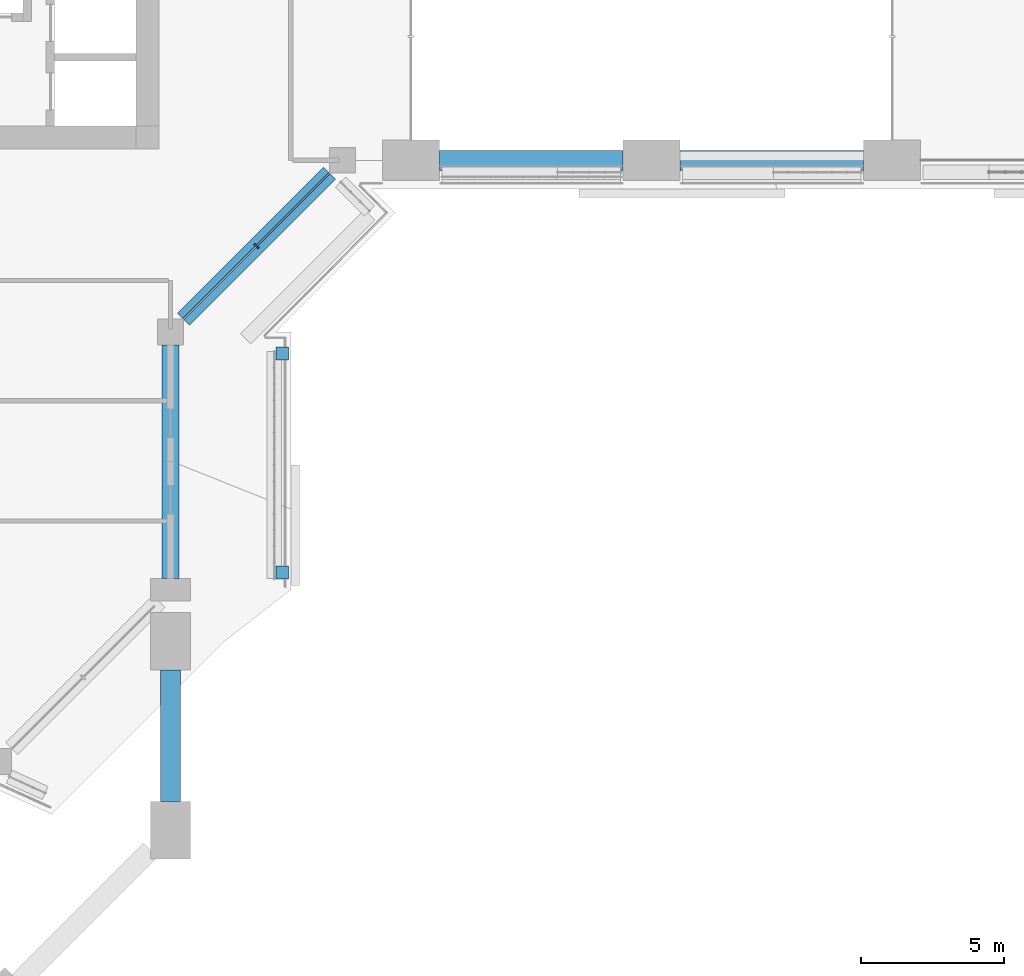
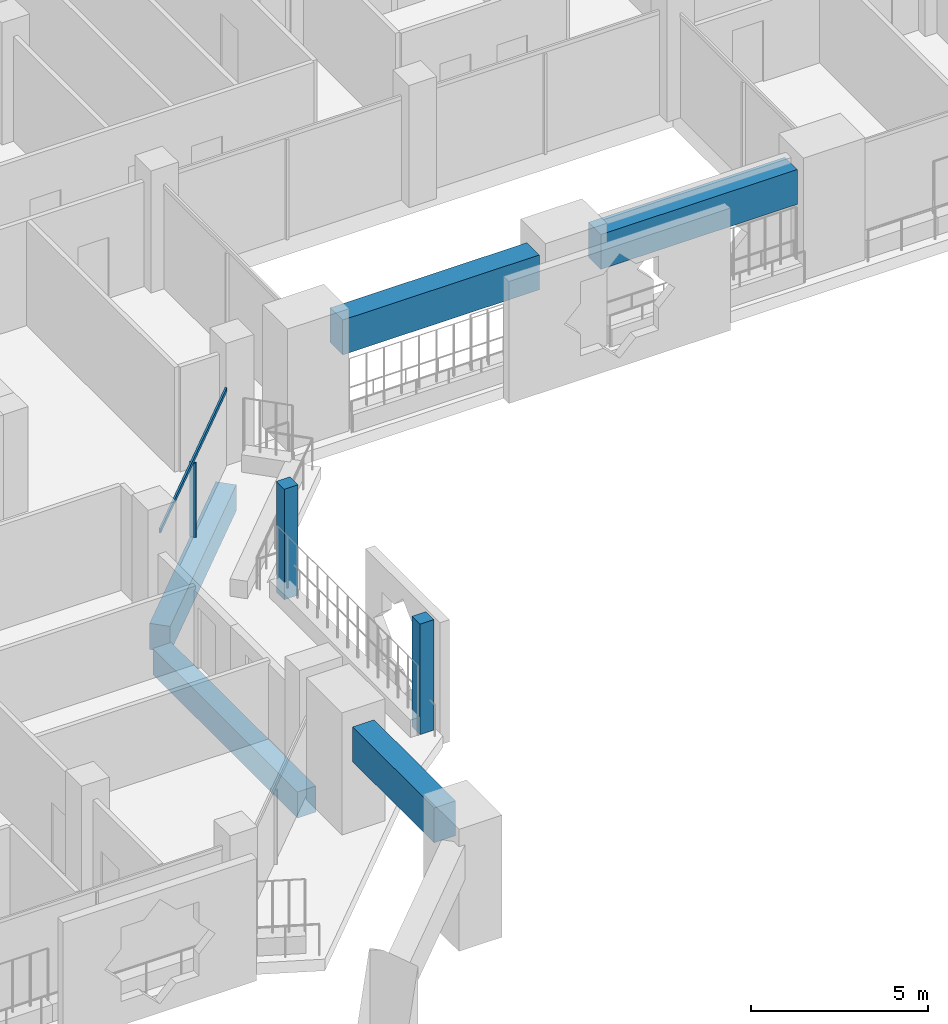
# One storey, part 4 of 23: 5 beams, 4 members, 2 elements without a shape of their own.
"""IFC4 building model written with IfcOpenShell, lengths in metres."""

from ifc_helpers import new_model, si_unit, direction, frame, origin, origin_2d, place, context, subcontext, project, spatial, rectangle, extrude, material, layer, layer_set, material_profile, profile_set, type_object, element, aggregate, save


model = new_model("IFC4")

# Units and contexts
model_context = context("Model", 3, precision=1e-05, world=origin(), true_north=direction((0.0, 1.0)))
body_context = subcontext(model_context, "Body", "Model", "MODEL_VIEW")
ifc_project = project(units=[si_unit("LENGTHUNIT", "METRE"), si_unit("AREAUNIT", "SQUARE_METRE"), si_unit("VOLUMEUNIT", "CUBIC_METRE"), si_unit("PLANEANGLEUNIT", "RADIAN"), si_unit("MASSUNIT", "GRAM", prefix="KILO")], contexts=[model_context])

# Site, building, storey
site_placement = place(None, origin())
site = spatial("IfcSite", under=ifc_project, at=site_placement, CompositionType="ELEMENT")
building_placement = place(site_placement, origin())
building = spatial("IfcBuilding", under=site, at=building_placement, Name="Kawkab Arch Medical Tower", CompositionType="ELEMENT")
storey_placement = place(building_placement, frame((0.0, 0.0, 222.199951171875)))
storey = spatial("IfcBuildingStorey", under=building, at=storey_placement, Name="L51", CompositionType="ELEMENT", Elevation=222.199951171875)

# Curtain wall, members
ifc_material_1 = material(Name="Bronze anodised aluminium curtain wall frame", Category="aluminium")
ifc_layer_1 = layer(ifc_material_1, 0.159912109375)
ifc_layer_set_1 = layer_set([ifc_layer_1], Name="Bronze anodised aluminium curtain wall frame")
curtain_wall_type_1 = type_object("IfcCurtainWallType", Name="CW2 chamfer curtain wall", PredefinedType="NOTDEFINED", material=ifc_layer_set_1)
placement = place(storey_placement, origin())
curtain_wall_1 = element("IfcCurtainWall", 1, at=placement, inside=storey, type_object=curtain_wall_type_1, Name="CW2 Chamfer curtain wall R16", PredefinedType="NOTDEFINED")
ifc_material_2 = material(Name="Bronze anodised aluminium curtain wall frame", Category="aluminium")
ifc_material_profile_1 = material_profile(ifc_material_2, rectangle(XDim=0.199951171875, YDim=0.06005859375, at=origin_2d()), Name="AL 60x200")
ifc_profile_set_1 = profile_set([ifc_material_profile_1], Name="Bronze anodised aluminium curtain wall frame")
member_type_1 = type_object("IfcMemberType", Name="CW2 mullion 60 x 200", PredefinedType="MULLION", material=ifc_profile_set_1)
member_1_placement = place(storey_placement, frame((28.199951171875, -28.199951171875, 0.0), z_axis=(0.0, 0.0, 1.0), x_axis=(-0.707106781187, 0.707106781187, 0.0)))
member_1 = element("IfcMember", 2, at=member_1_placement, type_object=member_type_1, Name="CW2 mullion 1.1", PredefinedType="MULLION", context=body_context, shape_type="SweptSolid", body=[
    extrude(rectangle(XDim=0.199951171875, YDim=0.06005859375, at=origin_2d()), origin(), (0.0, 0.0, 1.0), 2.56005859375),
])
ifc_material_3 = material(Name="Bronze anodised aluminium curtain wall frame", Category="aluminium")
ifc_material_profile_2 = material_profile(ifc_material_3, rectangle(XDim=0.06005859375, YDim=0.139892578125, at=origin_2d()), Name="AL 60x140")
ifc_profile_set_2 = profile_set([ifc_material_profile_2], Name="Bronze anodised aluminium curtain wall frame")
member_type_2 = type_object("IfcMemberType", Name="CW2 transom 140 x 60", PredefinedType="USERDEFINED", material=ifc_profile_set_2)
member_2_placement = place(storey_placement, frame((25.64990234375, -30.75, 2.630126953125), z_axis=(0.707106781187, 0.707106781187, 0.0), x_axis=(-0.707106781187, 0.707106781187, 0.0)))
member_2 = element("IfcMember", 3, at=member_2_placement, type_object=member_type_2, Name="CW2 transom 1", ObjectType="TRANSOM", PredefinedType="USERDEFINED", context=body_context, shape_type="SweptSolid", body=[
    extrude(rectangle(XDim=0.06005859375, YDim=0.139892578125, at=origin_2d()), origin(), (0.0, 0.0, 1.0), 7.212646484375),
])
aggregate(curtain_wall_1, [member_2, member_1])

ifc_material_4 = material(Name="Bronze anodised aluminium climber frame, planted", Category="aluminium")
ifc_layer_2 = layer(ifc_material_4, 0.449951171875)
ifc_layer_set_2 = layer_set([ifc_layer_2], Name="Bronze anodised aluminium climber frame, planted")
curtain_wall_type_2 = type_object("IfcCurtainWallType", Name="Planted climber frame", PredefinedType="NOTDEFINED", material=ifc_layer_set_2)
curtain_wall_2 = element("IfcCurtainWall", 4, at=placement, inside=storey, type_object=curtain_wall_type_2, Name="Planted climber frame L51", PredefinedType="NOTDEFINED")
ifc_material_5 = material(Name="Bronze anodised aluminium climber frame, planted", Category="aluminium")
ifc_material_profile_3 = material_profile(ifc_material_5, rectangle(XDim=0.449951171875, YDim=0.449951171875, at=origin_2d()), Name="Post 450x450")
ifc_profile_set_3 = profile_set([ifc_material_profile_3], Name="Bronze anodised aluminium climber frame, planted")
member_type_3 = type_object("IfcMemberType", Name="Planted climber post 450 x 450", PredefinedType="MULLION", material=ifc_profile_set_3)
member_3_placement = place(storey_placement, frame((29.10009765625, -31.949951171875, 0.0), z_axis=(0.0, 0.0, 1.0), x_axis=(1.0, 0.0, 0.0)))
member_3 = element("IfcMember", 5, at=member_3_placement, type_object=member_type_3, Name="Planted climber post L51.LOG-01-02.3", PredefinedType="MULLION", context=body_context, shape_type="SweptSolid", body=[
    extrude(rectangle(XDim=0.449951171875, YDim=0.449951171875, at=origin_2d()), origin(), (0.0, 0.0, 1.0), 3.800048828125),
])
member_4_placement = place(storey_placement, frame((29.10009765625, -39.60302734375, 0.0), z_axis=(0.0, 0.0, 1.0), x_axis=(1.0, 0.0, 0.0)))
member_4 = element("IfcMember", 6, at=member_4_placement, type_object=member_type_3, Name="Planted climber post L51.LOG-01-02.4", PredefinedType="MULLION", context=body_context, shape_type="SweptSolid", body=[
    extrude(rectangle(XDim=0.449951171875, YDim=0.449951171875, at=origin_2d()), origin(), (0.0, 0.0, 1.0), 3.800048828125),
])
aggregate(curtain_wall_2, [member_3, member_4])

# Beams
ifc_material_6 = material(Name="Concrete C45/55", Category="concrete")
ifc_material_profile_4 = material_profile(ifc_material_6, rectangle(XDim=0.60009765625, YDim=0.89990234375, at=origin_2d()), Name="RC 600x900")
ifc_profile_set_4 = profile_set([ifc_material_profile_4], Name="Concrete C45/55")
beam_type_1 = type_object("IfcBeamType", Name="RC 600x900 beam C45/55", PredefinedType="BEAM", material=ifc_profile_set_4)
beam_1_placement = place(storey_placement, frame((30.75, -25.64990234375, -1.050048828125), z_axis=(-0.707106781187, -0.707106781187, 0.0), x_axis=(0.707106781187, -0.707106781187, 0.0)))
element("IfcBeam", 7, at=beam_1_placement, inside=storey, type_object=beam_type_1, Name="Overhang edge beam L51-04", PredefinedType="BEAM", context=body_context, shape_type="SweptSolid", body=[
    extrude(rectangle(XDim=0.60009765625, YDim=0.89990234375, at=origin_2d()), origin(), (0.0, 0.0, 1.0), 7.212646484375),
])
beam_2_placement = place(storey_placement, frame((25.199951171875, -31.64990234375, -1.050048828125), z_axis=(0.0, -1.0, 0.0), x_axis=(1.0, 0.0, 0.0)))
element("IfcBeam", 8, at=beam_2_placement, inside=storey, type_object=beam_type_1, Name="Overhang edge beam L51-05", PredefinedType="BEAM", context=body_context, shape_type="SweptSolid", body=[
    extrude(rectangle(XDim=0.60009765625, YDim=0.89990234375, at=origin_2d()), origin(), (0.0, 0.0, 1.0), 8.150146484375),
])
ifc_material_7 = material(Name="Concrete C45/55", Category="concrete")
ifc_material_profile_5 = material_profile(ifc_material_7, rectangle(XDim=0.699951171875, YDim=1.199951171875, at=origin_2d()), Name="RC 700x1200")
ifc_profile_set_5 = profile_set([ifc_material_profile_5], Name="Concrete C45/55")
beam_type_2 = type_object("IfcBeamType", Name="RC 700x1200 beam C45/55", PredefinedType="BEAM", material=ifc_profile_set_5)
beam_3_placement = place(storey_placement, frame((25.199951171875, -43.0, 3.0), z_axis=(0.0, -1.0, 0.0), x_axis=(1.0, 0.0, 0.0)))
element("IfcBeam", 9, at=beam_3_placement, inside=storey, type_object=beam_type_2, Name="Terrace frame beam TF-L50-1-L52-02", PredefinedType="BEAM", context=body_context, shape_type="SweptSolid", body=[
    extrude(rectangle(XDim=0.699951171875, YDim=1.199951171875, at=origin_2d()), origin(), (0.0, 0.0, 1.0), 4.60009765625),
])
for number, where, z_axis, x_axis, name in (
    (10, (49.39990234375, -25.199951171875, 3.0), (-1.0, 0.0, 0.0), (0.0, -1.0, 0.0), "Terrace frame beam TF-L50-2-L52-01"),
    (11, (41.0, -25.199951171875, 3.0), (-1.0, 0.0, 0.0), (0.0, -1.0, 0.0), "Terrace frame beam TF-L50-2-L52-02"),
):
    element("IfcBeam", number, at=place(storey_placement, frame(where, z_axis=z_axis, x_axis=x_axis)), inside=storey, type_object=beam_type_2, Name=name, PredefinedType="BEAM", context=body_context, shape_type="SweptSolid", body=[
        extrude(rectangle(XDim=0.699951171875, YDim=1.199951171875, at=origin_2d()), origin(), (0.0, 0.0, 1.0), 6.39990234375),
    ])

save(model, "model.ifc")
